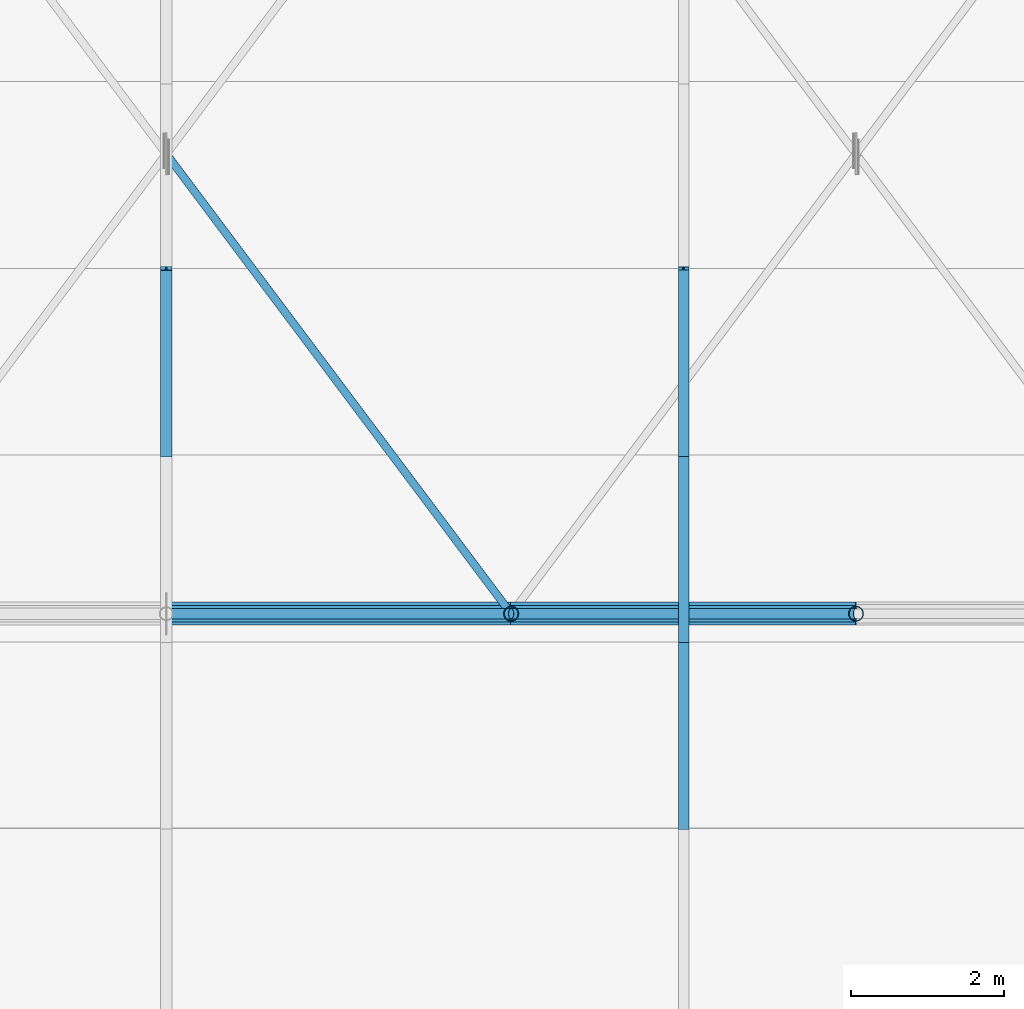
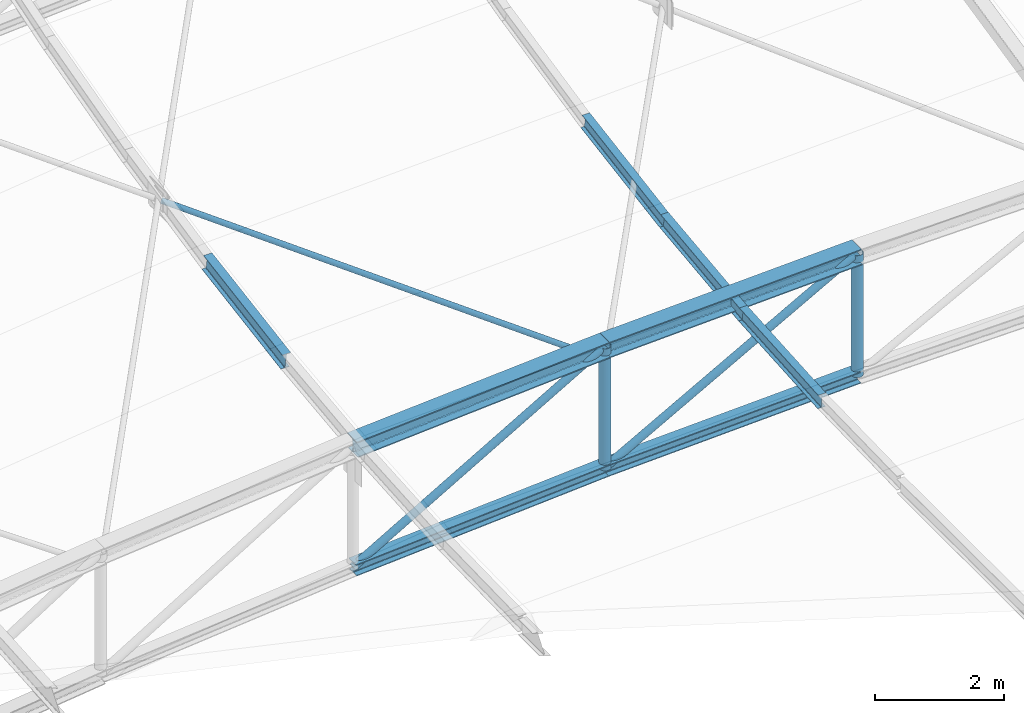
# One storey, part 109 of 262: 13 members.
"""IFC4 building model written with IfcOpenShell, lengths in metres."""

from ifc_helpers import new_model, si_unit, derived_unit, direction, frame, origin, origin_2d, place, context, subcontext, project, spatial, hollow_circle, i_section, extrude, material, material_profile, profile_set, type_object, element, save


model = new_model("IFC4")

# Units and contexts
model_context = context("Model", 3, precision=1e-05, world=origin(), true_north=direction((0.0, 1.0)))
body_context = subcontext(model_context, "Body", "Model", "MODEL_VIEW")
ifc_project = project(units=[si_unit("LENGTHUNIT", "METRE"), si_unit("AREAUNIT", "SQUARE_METRE"), si_unit("VOLUMEUNIT", "CUBIC_METRE"), si_unit("PLANEANGLEUNIT", "RADIAN"), si_unit("MASSUNIT", "GRAM", prefix="KILO"), derived_unit("THERMALTRANSMITTANCEUNIT", [(si_unit("POWERUNIT", "WATT"), 1), (si_unit("LENGTHUNIT", "METRE"), -2), (si_unit("THERMODYNAMICTEMPERATUREUNIT", "KELVIN"), -1)])], contexts=[model_context])

# Site, building, storey
site_placement = place(None, origin())
site = spatial("IfcSite", under=ifc_project, at=site_placement, CompositionType="ELEMENT")
building_placement = place(site_placement, origin())
building = spatial("IfcBuilding", under=site, at=building_placement, Name="Almenara Railside Exhibition Hall", CompositionType="ELEMENT")
storey_placement = place(building_placement, frame((0.0, 0.0, 21.699951171875)))
storey = spatial("IfcBuildingStorey", under=building, at=storey_placement, Name="RF", CompositionType="ELEMENT", Elevation=21.699951171875)

# Members
ifc_material = material(Name="Structural steel S355JR", Category="steel")
ifc_material_profile_1 = material_profile(ifc_material, i_section(OverallWidth=0.300048828125, OverallDepth=0.300048828125, WebThickness=0.010986328125, FlangeThickness=0.01904296875, FilletRadius=0.027099609375, at=origin_2d()), Name="HEB 300")
ifc_profile_set_1 = profile_set([ifc_material_profile_1], Name="Structural steel S355JR")
member_type_1 = type_object("IfcMemberType", Name="Arched Inner Top Chord HEB 300 S355JR", PredefinedType="CHORD", material=ifc_profile_set_1)
member_1_placement = place(storey_placement, frame((25.5, 108.0, 1.814697265625), z_axis=(0.997701025897, 0.0, 0.067769188608), x_axis=(0.0, 1.0, 0.0)))
element("IfcMember", 1, at=member_1_placement, inside=storey, type_object=member_type_1, Name="MEM-TC-V1-05-03", PredefinedType="CHORD", context=body_context, shape_type="SweptSolid", body=[
    extrude(i_section(OverallWidth=0.300048828125, OverallDepth=0.300048828125, WebThickness=0.010986328125, FlangeThickness=0.01904296875, FilletRadius=0.027099609375, at=origin_2d()), origin(), (0.0, 0.0, 1.0), 4.51025390625),
])
member_2_placement = place(storey_placement, frame((30.0, 108.0, 2.120361328125), z_axis=(0.99917098071, 0.0, 0.04071057978), x_axis=(0.0, 1.0, 0.0)))
element("IfcMember", 2, at=member_2_placement, inside=storey, type_object=member_type_1, Name="MEM-TC-V1-05-04", PredefinedType="CHORD", context=body_context, shape_type="SweptSolid", body=[
    extrude(i_section(OverallWidth=0.300048828125, OverallDepth=0.300048828125, WebThickness=0.010986328125, FlangeThickness=0.01904296875, FilletRadius=0.027099609375, at=origin_2d()), origin(), (0.0, 0.0, 1.0), 4.503662109375),
])
ifc_material_profile_2 = material_profile(ifc_material, i_section(OverallWidth=0.14990234375, OverallDepth=0.300048828125, WebThickness=0.007080078125, FlangeThickness=0.0107421875, FilletRadius=0.014892578125, at=origin_2d()), Name="IPE 300")
ifc_profile_set_2 = profile_set([ifc_material_profile_2], Name="Structural steel S355JR")
member_type_2 = type_object("IfcMemberType", Name="East Hall Ridge Purlin IPE 300 S355JR", PredefinedType="PURLIN", material=ifc_profile_set_2)
member_3_placement = place(storey_placement, frame((25.5, 110.069580078125, 2.148681640625), z_axis=(0.0, 0.986449960692, 0.164062412058), x_axis=(-1.0, 0.0, 0.0)))
element("IfcMember", 3, at=member_3_placement, inside=storey, type_object=member_type_2, Name="MEM-PR-V1-PR-IPE300-02-19", PredefinedType="PURLIN", context=body_context, shape_type="SweptSolid", body=[
    extrude(i_section(OverallWidth=0.14990234375, OverallDepth=0.300048828125, WebThickness=0.007080078125, FlangeThickness=0.0107421875, FilletRadius=0.014892578125, at=origin_2d()), origin(), (0.0, 0.0, 1.0), 2.47021484375),
])
ifc_material_profile_3 = material_profile(ifc_material, i_section(OverallWidth=0.135009765625, OverallDepth=0.27001953125, WebThickness=0.006591796875, FlangeThickness=0.01025390625, FilletRadius=0.014892578125, at=origin_2d()), Name="IPE 270")
ifc_profile_set_3 = profile_set([ifc_material_profile_3], Name="Structural steel S355JR")
member_type_3 = type_object("IfcMemberType", Name="East Hall Standard Purlin IPE 270 S355JR", PredefinedType="PURLIN", material=ifc_profile_set_3)
member_4_placement = place(storey_placement, frame((32.25, 105.1962890625, 1.986328125), z_axis=(0.0, 0.997528729247, 0.070259763216), x_axis=(-1.0, 0.0, 0.0)))
element("IfcMember", 4, at=member_4_placement, inside=storey, type_object=member_type_3, Name="MEM-PR-V1-PR-IPE270-03-17", PredefinedType="PURLIN", context=body_context, shape_type="SweptSolid", body=[
    extrude(i_section(OverallWidth=0.135009765625, OverallDepth=0.27001953125, WebThickness=0.006591796875, FlangeThickness=0.01025390625, FilletRadius=0.014892578125, at=origin_2d()), origin(), (0.0, 0.0, 1.0), 2.44287109375),
])
member_5_placement = place(storey_placement, frame((32.25, 107.633056640625, 2.156494140625), z_axis=(0.0, 0.993105700961, 0.117222296166), x_axis=(-1.0, 0.0, 0.0)))
element("IfcMember", 5, at=member_5_placement, inside=storey, type_object=member_type_3, Name="MEM-PR-V1-PR-IPE270-03-18", PredefinedType="PURLIN", context=body_context, shape_type="SweptSolid", body=[
    extrude(i_section(OverallWidth=0.135009765625, OverallDepth=0.27001953125, WebThickness=0.006591796875, FlangeThickness=0.01025390625, FilletRadius=0.014892578125, at=origin_2d()), origin(), (0.0, 0.0, 1.0), 2.453369140625),
])
member_6_placement = place(storey_placement, frame((32.25, 110.069580078125, 2.44189453125), z_axis=(0.0, 0.986449960692, 0.164062412058), x_axis=(-1.0, 0.0, 0.0)))
element("IfcMember", 6, at=member_6_placement, inside=storey, type_object=member_type_3, Name="MEM-PR-V1-PR-IPE270-03-19", PredefinedType="PURLIN", context=body_context, shape_type="SweptSolid", body=[
    extrude(i_section(OverallWidth=0.135009765625, OverallDepth=0.27001953125, WebThickness=0.006591796875, FlangeThickness=0.01025390625, FilletRadius=0.014892578125, at=origin_2d()), origin(), (0.0, 0.0, 1.0), 2.47021484375),
])
ifc_material_profile_4 = material_profile(ifc_material, i_section(OverallWidth=0.219970703125, OverallDepth=0.219970703125, WebThickness=0.009521484375, FlangeThickness=0.01611328125, FilletRadius=0.01806640625, at=origin_2d()), Name="HEB 220")
ifc_profile_set_4 = profile_set([ifc_material_profile_4], Name="Structural steel S355JR")
member_type_4 = type_object("IfcMemberType", Name="Scroll Tie Chord HEB 220 S355JR", PredefinedType="CHORD", material=ifc_profile_set_4)
member_7_placement = place(storey_placement, frame((25.5, 108.0, -0.485107421875), z_axis=(0.997704684283, 0.0, 0.067715308162), x_axis=(0.0, 1.0, 0.0)))
element("IfcMember", 7, at=member_7_placement, inside=storey, type_object=member_type_4, Name="MEM-BC-V1-05-03", PredefinedType="CHORD", context=body_context, shape_type="SweptSolid", body=[
    extrude(i_section(OverallWidth=0.219970703125, OverallDepth=0.219970703125, WebThickness=0.009521484375, FlangeThickness=0.01611328125, FilletRadius=0.01806640625, at=origin_2d()), origin(), (0.0, 0.0, 1.0), 4.51025390625),
])
member_8_placement = place(storey_placement, frame((30.0, 108.0, -0.1796875), z_axis=(0.99917098071, 0.0, 0.04071057978), x_axis=(0.0, 1.0, 0.0)))
element("IfcMember", 8, at=member_8_placement, inside=storey, type_object=member_type_4, Name="MEM-BC-V1-05-04", PredefinedType="CHORD", context=body_context, shape_type="SweptSolid", body=[
    extrude(i_section(OverallWidth=0.219970703125, OverallDepth=0.219970703125, WebThickness=0.009521484375, FlangeThickness=0.01611328125, FilletRadius=0.01806640625, at=origin_2d()), origin(), (0.0, 0.0, 1.0), 4.503662109375),
])
ifc_material_profile_5 = material_profile(ifc_material, hollow_circle(Radius=0.05078125, WallThickness=0.00390625, at=origin_2d()), Name="CHS 101.6x4")
ifc_profile_set_5 = profile_set([ifc_material_profile_5], Name="Structural steel S355JR")
member_type_5 = type_object("IfcMemberType", Name="Scroll Wind Plan Brace CHS 101.6x4 S355JR", PredefinedType="BRACE", material=ifc_profile_set_5)
member_9_placement = place(storey_placement, frame((30.0, 108.0, 1.84033203125), z_axis=(-0.595016918784, 0.793377570472, 0.128479169642), x_axis=(-0.800007869506, -0.599989507182, 0.0)))
element("IfcMember", 9, at=member_9_placement, inside=storey, type_object=member_type_5, Name="MEM-WB-V1-WB-CHS102-05-02-S1", PredefinedType="BRACE", context=body_context, shape_type="SweptSolid", body=[
    extrude(hollow_circle(Radius=0.05078125, WallThickness=0.00390625, at=origin_2d()), origin(), (0.0, 0.0, 1.0), 7.5078125),
])
ifc_material_profile_6 = material_profile(ifc_material, hollow_circle(Radius=0.06982421875, WallThickness=0.0048828125, at=origin_2d()), Name="CHS 139.7x5")
ifc_profile_set_6 = profile_set([ifc_material_profile_6], Name="Structural steel S355JR")
member_type_6 = type_object("IfcMemberType", Name="Truss Inner Diagonal CHS 139.7x5 S355JR", PredefinedType="BRACE", material=ifc_profile_set_6)
member_10_placement = place(storey_placement, frame((25.5, 108.0, -0.485107421875), z_axis=(0.865409140876, 0.0, 0.501065882782), x_axis=(0.0, 1.0, 0.0)))
element("IfcMember", 10, at=member_10_placement, inside=storey, type_object=member_type_6, Name="MEM-TD-V1-05-03", PredefinedType="BRACE", context=body_context, shape_type="SweptSolid", body=[
    extrude(hollow_circle(Radius=0.06982421875, WallThickness=0.0048828125, at=origin_2d()), origin(), (0.0, 0.0, 1.0), 5.199951171875),
])
member_11_placement = place(storey_placement, frame((30.0, 108.0, -0.1796875), z_axis=(0.875525025835, 0.0, 0.483172773589), x_axis=(0.0, 1.0, 0.0)))
element("IfcMember", 11, at=member_11_placement, inside=storey, type_object=member_type_6, Name="MEM-TD-V1-05-04", PredefinedType="BRACE", context=body_context, shape_type="SweptSolid", body=[
    extrude(hollow_circle(Radius=0.06982421875, WallThickness=0.0048828125, at=origin_2d()), origin(), (0.0, 0.0, 1.0), 5.139892578125),
])
ifc_material_profile_7 = material_profile(ifc_material, hollow_circle(Radius=0.096923828125, WallThickness=0.00634765625, at=origin_2d()), Name="CHS 193.7x6.3")
ifc_profile_set_7 = profile_set([ifc_material_profile_7], Name="Structural steel S355JR")
member_type_7 = type_object("IfcMemberType", Name="Truss Standard Vertical Strut CHS 193.7x6.3 S355JR", PredefinedType="BRACE", material=ifc_profile_set_7)
for number, where, z_axis, x_axis, name in (
    (12, (30.0, 108.0, -0.1796875), (0.0, 0.0, 1.0), (1.0, 0.0, 0.0), "MEM-TV-V1-05-04"),
    (13, (34.5, 108.0, 0.003662109375), (0.0, 0.0, 1.0), (1.0, 0.0, 0.0), "MEM-TV-V1-05-05"),
):
    element("IfcMember", number, at=place(storey_placement, frame(where, z_axis=z_axis, x_axis=x_axis)), inside=storey, type_object=member_type_7, Name=name, PredefinedType="BRACE", context=body_context, shape_type="SweptSolid", body=[
        extrude(hollow_circle(Radius=0.096923828125, WallThickness=0.00634765625, at=origin_2d()), origin(), (0.0, 0.0, 1.0), 2.300048828125),
    ])

save(model, "model.ifc")
